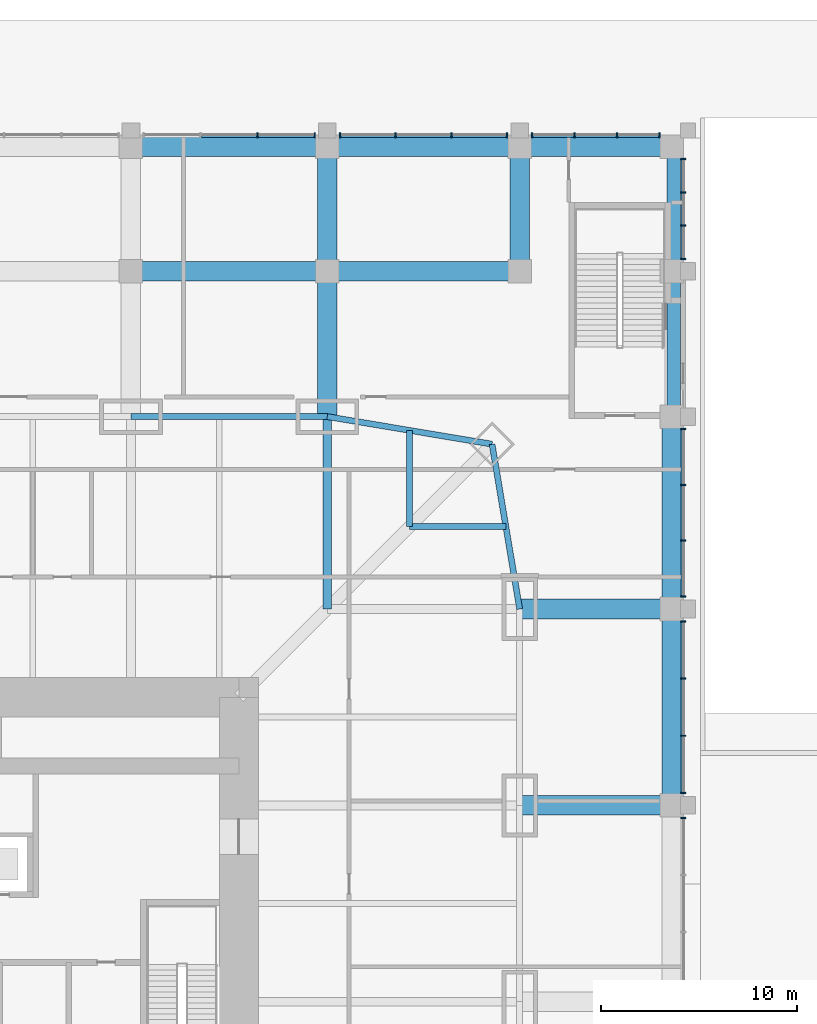
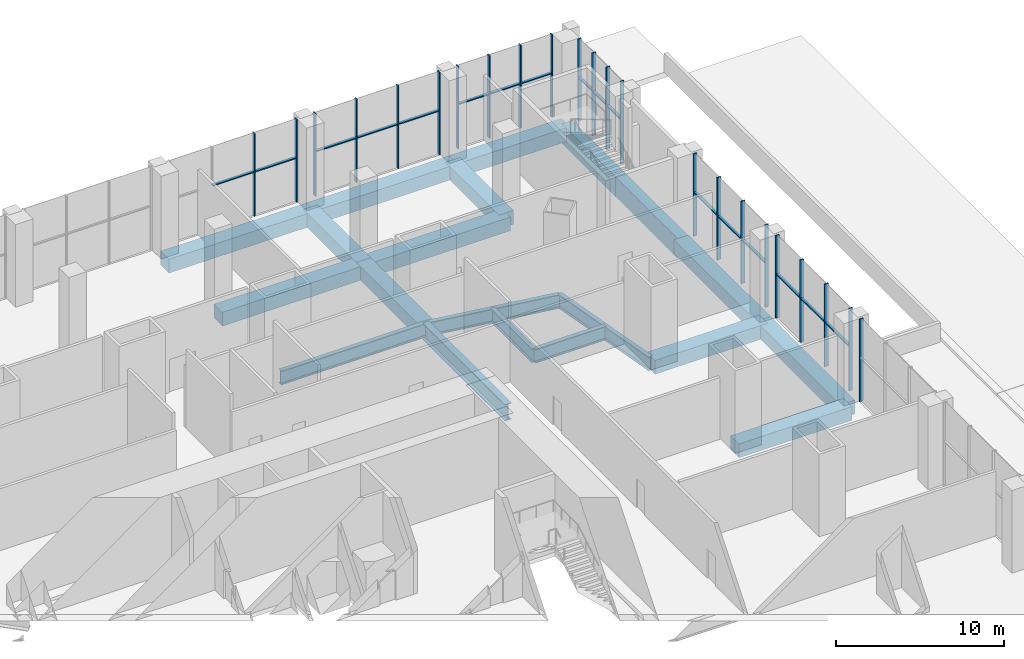
# One storey, part 15 of 31: 40 members, 20 beams, 7 elements without a shape of their own.
"""IFC4 building model written with IfcOpenShell, lengths in metres."""

from ifc_helpers import new_model, si_unit, direction, frame, origin, origin_2d, place, context, subcontext, project, spatial, rectangle, i_section, extrude, material, material_profile, profile_set, type_object, element, aggregate, save


model = new_model("IFC4")

# Units and contexts
model_context = context("Model", 3, precision=1e-05, world=origin(), true_north=direction((0.0, 1.0)))
body_context = subcontext(model_context, "Body", "Model", "MODEL_VIEW")
ifc_project = project(units=[si_unit("LENGTHUNIT", "METRE"), si_unit("AREAUNIT", "SQUARE_METRE"), si_unit("VOLUMEUNIT", "CUBIC_METRE"), si_unit("PLANEANGLEUNIT", "RADIAN"), si_unit("MASSUNIT", "GRAM", prefix="KILO")], contexts=[model_context])

# Site, building, storey
site_placement = place(None, origin())
site = spatial("IfcSite", under=ifc_project, at=site_placement, CompositionType="ELEMENT")
building_placement = place(site_placement, origin())
building = spatial("IfcBuilding", under=site, at=building_placement, Name="Khuree Lantern Residences", CompositionType="ELEMENT")
storey_placement = place(building_placement, origin())
storey = spatial("IfcBuildingStorey", under=building, at=storey_placement, Name="L00", CompositionType="ELEMENT", Elevation=0.0)

# Beams
ifc_material_1 = material(Name="Steel S355", Category="steel")
ifc_material_profile_1 = material_profile(ifc_material_1, i_section(OverallWidth=0.300048828125, OverallDepth=1.0, WebThickness=0.01904296875, FlangeThickness=0.035888671875, FilletRadius=0.030029296875, at=origin_2d()), Name="HE 1000 B")
ifc_profile_set_1 = profile_set([ifc_material_profile_1], Name="Steel S355")
beam_type_1 = type_object("IfcBeamType", Name="B-00 SECONDARY BEAM HE 1000 B", PredefinedType="BEAM", material=ifc_profile_set_1)
for number, where, z_axis, x_axis, name in (
    (1, (24.197021484375, 29.09716796875, -0.800048828125), (0.0, -1.0, 0.0), (1.0, 0.0, 0.0), "Secondary beam N5"),
    (2, (29.09716796875, 24.197021484375, -0.800048828125), (-1.0, 0.0, 0.0), (0.0, -1.0, 0.0), "Secondary beam E1"),
):
    element("IfcBeam", number, at=place(storey_placement, frame(where, z_axis=z_axis, x_axis=x_axis)), inside=storey, type_object=beam_type_1, Name=name, PredefinedType="BEAM", context=body_context, shape_type="SweptSolid", body=[
        extrude(i_section(OverallWidth=0.300048828125, OverallDepth=1.0, WebThickness=0.01904296875, FlangeThickness=0.035888671875, FilletRadius=0.030029296875, at=origin_2d()), origin(), (0.0, 0.0, 1.0), 4.900146484375),
    ])
ifc_material_profile_2 = material_profile(ifc_material_1, i_section(OverallWidth=0.300048828125, OverallDepth=1.0, WebThickness=0.01904296875, FlangeThickness=0.035888671875, FilletRadius=0.030029296875, at=origin_2d()), Name="HE 1000 B")
ifc_profile_set_2 = profile_set([ifc_material_profile_2], Name="Steel S355")
beam_type_2 = type_object("IfcBeamType", Name="E-00 SPANDREL BEAM HE 1000 B", PredefinedType="SPANDREL", material=ifc_profile_set_2)
beam_1_placement = place(storey_placement, frame((10.0, 29.800048828125, -0.800048828125), z_axis=(1.0, 0.0, 0.0), x_axis=(0.0, 1.0, 0.0)))
element("IfcBeam", 3, at=beam_1_placement, inside=storey, type_object=beam_type_2, Name="Spandrel beam N4", PredefinedType="SPANDREL", context=body_context, shape_type="SweptSolid", body=[
    extrude(i_section(OverallWidth=0.300048828125, OverallDepth=1.0, WebThickness=0.01904296875, FlangeThickness=0.035888671875, FilletRadius=0.030029296875, at=origin_2d()), origin(), (0.0, 0.0, 1.0), 10.0),
])
for number, where, z_axis, x_axis, name in (
    (4, (20.0, 29.800048828125, -0.800048828125), (0.986260251158, -0.165199022349, 0.0), (0.165199022349, 0.986260251158, 0.0), "Spandrel beam N5"),
    (5, (28.39404296875, 28.39404296875, -0.800048828125), (0.165199022349, -0.986260251158, 0.0), (0.986260251158, 0.165199022349, 0.0), "Spandrel beam E1"),
):
    element("IfcBeam", number, at=place(storey_placement, frame(where, z_axis=z_axis, x_axis=x_axis)), inside=storey, type_object=beam_type_2, Name=name, PredefinedType="SPANDREL", context=body_context, shape_type="SweptSolid", body=[
        extrude(i_section(OverallWidth=0.300048828125, OverallDepth=1.0, WebThickness=0.01904296875, FlangeThickness=0.035888671875, FilletRadius=0.030029296875, at=origin_2d()), origin(), (0.0, 0.0, 1.0), 8.510986328125),
    ])
ifc_material_profile_3 = material_profile(ifc_material_1, i_section(OverallWidth=0.449951171875, OverallDepth=1.199951171875, WebThickness=0.02490234375, FlangeThickness=0.044921875, at=origin_2d()), Name="WELDED I 1200X450X25X45")
ifc_profile_set_3 = profile_set([ifc_material_profile_3], Name="Steel S355")
beam_type_3 = type_object("IfcBeamType", Name="G-00 GIRDER WELDED I 1200X450X25X45", PredefinedType="BEAM", material=ifc_profile_set_3)
beam_2_placement = place(storey_placement, frame((20.0, 29.800048828125, -0.89990234375), z_axis=(0.0, -1.0, 0.0), x_axis=(1.0, 0.0, 0.0)))
element("IfcBeam", 6, at=beam_2_placement, inside=storey, type_object=beam_type_3, Name="Girder N5", PredefinedType="BEAM", context=body_context, shape_type="SweptSolid", body=[
    extrude(i_section(OverallWidth=0.449951171875, OverallDepth=1.199951171875, WebThickness=0.02490234375, FlangeThickness=0.044921875, at=origin_2d()), origin(), (0.0, 0.0, 1.0), 9.800048828125),
])

# Curtain wall, member
ifc_material_2 = material(Name="Bronze anodised aluminium", Category="aluminium")
curtain_wall_type = type_object("IfcCurtainWallType", Name="CW-P PODIUM STOREFRONT CURTAIN WALL", PredefinedType="USERDEFINED", material=ifc_material_2)
curtain_wall_1_placement = place(storey_placement, origin())
curtain_wall_1 = element("IfcCurtainWall", 7, at=curtain_wall_1_placement, inside=storey, type_object=curtain_wall_type, Name="L00 EAST FACE BAY 4 STOREFRONT", ObjectType="Storefront curtain wall", PredefinedType="USERDEFINED")
ifc_material_profile_4 = material_profile(ifc_material_2, rectangle(XDim=0.074951171875, YDim=0.25, at=origin_2d()), Name="M5 75X250")
ifc_profile_set_4 = profile_set([ifc_material_profile_4], Name="Bronze anodised aluminium")
member_type_1 = type_object("IfcMemberType", Name="MULLION M5 STOREFRONT 75X250", PredefinedType="MULLION", material=ifc_profile_set_4)
member_1_placement = place(storey_placement, frame((38.125, 9.362548828125, 0.0), z_axis=(0.0, 0.0, 1.0), x_axis=(0.0, 1.0, 0.0)))
member_1 = element("IfcMember", 8, at=member_1_placement, type_object=member_type_1, Name="L00 EAST FACE BAY 4 MULLION 4", PredefinedType="MULLION", context=body_context, shape_type="SweptSolid", body=[
    extrude(rectangle(XDim=0.074951171875, YDim=0.25, at=origin_2d()), origin(), (0.0, 0.0, 1.0), 6.0),
])
aggregate(curtain_wall_1, [member_1])

# Curtain wall, members
curtain_wall_2_placement = place(storey_placement, origin())
curtain_wall_2 = element("IfcCurtainWall", 9, at=curtain_wall_2_placement, inside=storey, type_object=curtain_wall_type, Name="L00 EAST FACE BAY 5 STOREFRONT", ObjectType="Storefront curtain wall", PredefinedType="USERDEFINED")
member_2_placement = place(storey_placement, frame((38.125, 10.637451171875, 0.0), z_axis=(0.0, 0.0, 1.0), x_axis=(0.0, 1.0, 0.0)))
member_2 = element("IfcMember", 10, at=member_2_placement, type_object=member_type_1, Name="L00 EAST FACE BAY 5 MULLION 1", PredefinedType="MULLION", context=body_context, shape_type="SweptSolid", body=[
    extrude(rectangle(XDim=0.074951171875, YDim=0.25, at=origin_2d()), origin(), (0.0, 0.0, 1.0), 6.0),
])
member_3_placement = place(storey_placement, frame((38.125, 13.5458984375, 0.0), z_axis=(0.0, 0.0, 1.0), x_axis=(0.0, 1.0, 0.0)))
member_3 = element("IfcMember", 11, at=member_3_placement, type_object=member_type_1, Name="L00 EAST FACE BAY 5 MULLION 2", PredefinedType="MULLION", context=body_context, shape_type="SweptSolid", body=[
    extrude(rectangle(XDim=0.074951171875, YDim=0.25, at=origin_2d()), origin(), (0.0, 0.0, 1.0), 6.0),
])
member_4_placement = place(storey_placement, frame((38.125, 16.4541015625, 0.0), z_axis=(0.0, 0.0, 1.0), x_axis=(0.0, 1.0, 0.0)))
member_4 = element("IfcMember", 12, at=member_4_placement, type_object=member_type_1, Name="L00 EAST FACE BAY 5 MULLION 3", PredefinedType="MULLION", context=body_context, shape_type="SweptSolid", body=[
    extrude(rectangle(XDim=0.074951171875, YDim=0.25, at=origin_2d()), origin(), (0.0, 0.0, 1.0), 6.0),
])
member_5_placement = place(storey_placement, frame((38.125, 19.362548828125, 0.0), z_axis=(0.0, 0.0, 1.0), x_axis=(0.0, 1.0, 0.0)))
member_5 = element("IfcMember", 13, at=member_5_placement, type_object=member_type_1, Name="L00 EAST FACE BAY 5 MULLION 4", PredefinedType="MULLION", context=body_context, shape_type="SweptSolid", body=[
    extrude(rectangle(XDim=0.074951171875, YDim=0.25, at=origin_2d()), origin(), (0.0, 0.0, 1.0), 6.0),
])

curtain_wall_3_placement = place(storey_placement, origin())
curtain_wall_3 = element("IfcCurtainWall", 14, at=curtain_wall_3_placement, inside=storey, type_object=curtain_wall_type, Name="L00 EAST FACE BAY 6 STOREFRONT", ObjectType="Storefront curtain wall", PredefinedType="USERDEFINED")
member_6_placement = place(storey_placement, frame((38.125, 20.637451171875, 0.0), z_axis=(0.0, 0.0, 1.0), x_axis=(0.0, 1.0, 0.0)))
member_6 = element("IfcMember", 15, at=member_6_placement, type_object=member_type_1, Name="L00 EAST FACE BAY 6 MULLION 1", PredefinedType="MULLION", context=body_context, shape_type="SweptSolid", body=[
    extrude(rectangle(XDim=0.074951171875, YDim=0.25, at=origin_2d()), origin(), (0.0, 0.0, 1.0), 6.0),
])
member_7_placement = place(storey_placement, frame((38.125, 23.479248046875, 0.0), z_axis=(0.0, 0.0, 1.0), x_axis=(0.0, 1.0, 0.0)))
member_7 = element("IfcMember", 16, at=member_7_placement, type_object=member_type_1, Name="L00 EAST FACE BAY 6 MULLION 2", PredefinedType="MULLION", context=body_context, shape_type="SweptSolid", body=[
    extrude(rectangle(XDim=0.074951171875, YDim=0.25, at=origin_2d()), origin(), (0.0, 0.0, 1.0), 6.0),
])
member_8_placement = place(storey_placement, frame((38.125, 26.32080078125, 0.0), z_axis=(0.0, 0.0, 1.0), x_axis=(0.0, 1.0, 0.0)))
member_8 = element("IfcMember", 17, at=member_8_placement, type_object=member_type_1, Name="L00 EAST FACE BAY 6 MULLION 3", PredefinedType="MULLION", context=body_context, shape_type="SweptSolid", body=[
    extrude(rectangle(XDim=0.074951171875, YDim=0.25, at=origin_2d()), origin(), (0.0, 0.0, 1.0), 6.0),
])
member_9_placement = place(storey_placement, frame((38.125, 29.16259765625, 0.0), z_axis=(0.0, 0.0, 1.0), x_axis=(0.0, 1.0, 0.0)))
member_9 = element("IfcMember", 18, at=member_9_placement, type_object=member_type_1, Name="L00 EAST FACE BAY 6 MULLION 4", PredefinedType="MULLION", context=body_context, shape_type="SweptSolid", body=[
    extrude(rectangle(XDim=0.074951171875, YDim=0.25, at=origin_2d()), origin(), (0.0, 0.0, 1.0), 6.0),
])

curtain_wall_4_placement = place(storey_placement, origin())
curtain_wall_4 = element("IfcCurtainWall", 19, at=curtain_wall_4_placement, inside=storey, type_object=curtain_wall_type, Name="L00 EAST FACE BAY 8 STOREFRONT", ObjectType="Storefront curtain wall", PredefinedType="USERDEFINED")
member_10_placement = place(storey_placement, frame((38.125, 37.83740234375, 0.0), z_axis=(0.0, 0.0, 1.0), x_axis=(0.0, 1.0, 0.0)))
member_10 = element("IfcMember", 20, at=member_10_placement, type_object=member_type_1, Name="L00 EAST FACE BAY 8 MULLION 1", PredefinedType="MULLION", context=body_context, shape_type="SweptSolid", body=[
    extrude(rectangle(XDim=0.074951171875, YDim=0.25, at=origin_2d()), origin(), (0.0, 0.0, 1.0), 6.0),
])
member_11_placement = place(storey_placement, frame((38.125, 39.529052734375, 0.0), z_axis=(0.0, 0.0, 1.0), x_axis=(0.0, 1.0, 0.0)))
member_11 = element("IfcMember", 21, at=member_11_placement, type_object=member_type_1, Name="L00 EAST FACE BAY 8 MULLION 2", PredefinedType="MULLION", context=body_context, shape_type="SweptSolid", body=[
    extrude(rectangle(XDim=0.074951171875, YDim=0.25, at=origin_2d()), origin(), (0.0, 0.0, 1.0), 6.0),
])
member_12_placement = place(storey_placement, frame((38.125, 41.220947265625, 0.0), z_axis=(0.0, 0.0, 1.0), x_axis=(0.0, 1.0, 0.0)))
member_12 = element("IfcMember", 22, at=member_12_placement, type_object=member_type_1, Name="L00 EAST FACE BAY 8 MULLION 3", PredefinedType="MULLION", context=body_context, shape_type="SweptSolid", body=[
    extrude(rectangle(XDim=0.074951171875, YDim=0.25, at=origin_2d()), origin(), (0.0, 0.0, 1.0), 6.0),
])
member_13_placement = place(storey_placement, frame((38.125, 42.91259765625, 0.0), z_axis=(0.0, 0.0, 1.0), x_axis=(0.0, 1.0, 0.0)))
member_13 = element("IfcMember", 23, at=member_13_placement, type_object=member_type_1, Name="L00 EAST FACE BAY 8 MULLION 4", PredefinedType="MULLION", context=body_context, shape_type="SweptSolid", body=[
    extrude(rectangle(XDim=0.074951171875, YDim=0.25, at=origin_2d()), origin(), (0.0, 0.0, 1.0), 6.0),
])

curtain_wall_5_placement = place(storey_placement, origin())
curtain_wall_5 = element("IfcCurtainWall", 24, at=curtain_wall_5_placement, inside=storey, type_object=curtain_wall_type, Name="L00 NORTH FACE BAY 1 STOREFRONT", ObjectType="Storefront curtain wall", PredefinedType="USERDEFINED")
member_14_placement = place(storey_placement, frame((36.91259765625, 44.125, 0.0), z_axis=(0.0, 0.0, 1.0), x_axis=(-1.0, 0.0, 0.0)))
member_14 = element("IfcMember", 25, at=member_14_placement, type_object=member_type_1, Name="L00 NORTH FACE BAY 1 MULLION 1", PredefinedType="MULLION", context=body_context, shape_type="SweptSolid", body=[
    extrude(rectangle(XDim=0.074951171875, YDim=0.25, at=origin_2d()), origin(), (0.0, 0.0, 1.0), 6.0),
])
member_15_placement = place(storey_placement, frame((34.754150390625, 44.125, 0.0), z_axis=(0.0, 0.0, 1.0), x_axis=(-1.0, 0.0, 0.0)))
member_15 = element("IfcMember", 26, at=member_15_placement, type_object=member_type_1, Name="L00 NORTH FACE BAY 1 MULLION 2", PredefinedType="MULLION", context=body_context, shape_type="SweptSolid", body=[
    extrude(rectangle(XDim=0.074951171875, YDim=0.25, at=origin_2d()), origin(), (0.0, 0.0, 1.0), 6.0),
])
member_16_placement = place(storey_placement, frame((32.595947265625, 44.125, 0.0), z_axis=(0.0, 0.0, 1.0), x_axis=(-1.0, 0.0, 0.0)))
member_16 = element("IfcMember", 27, at=member_16_placement, type_object=member_type_1, Name="L00 NORTH FACE BAY 1 MULLION 3", PredefinedType="MULLION", context=body_context, shape_type="SweptSolid", body=[
    extrude(rectangle(XDim=0.074951171875, YDim=0.25, at=origin_2d()), origin(), (0.0, 0.0, 1.0), 6.0),
])
member_17_placement = place(storey_placement, frame((30.4375, 44.125, 0.0), z_axis=(0.0, 0.0, 1.0), x_axis=(-1.0, 0.0, 0.0)))
member_17 = element("IfcMember", 28, at=member_17_placement, type_object=member_type_1, Name="L00 NORTH FACE BAY 1 MULLION 4", PredefinedType="MULLION", context=body_context, shape_type="SweptSolid", body=[
    extrude(rectangle(XDim=0.074951171875, YDim=0.25, at=origin_2d()), origin(), (0.0, 0.0, 1.0), 6.0),
])

curtain_wall_6_placement = place(storey_placement, origin())
curtain_wall_6 = element("IfcCurtainWall", 29, at=curtain_wall_6_placement, inside=storey, type_object=curtain_wall_type, Name="L00 NORTH FACE BAY 2 STOREFRONT", ObjectType="Storefront curtain wall", PredefinedType="USERDEFINED")
member_18_placement = place(storey_placement, frame((29.16259765625, 44.125, 0.0), z_axis=(0.0, 0.0, 1.0), x_axis=(-1.0, 0.0, 0.0)))
member_18 = element("IfcMember", 30, at=member_18_placement, type_object=member_type_1, Name="L00 NORTH FACE BAY 2 MULLION 1", PredefinedType="MULLION", context=body_context, shape_type="SweptSolid", body=[
    extrude(rectangle(XDim=0.074951171875, YDim=0.25, at=origin_2d()), origin(), (0.0, 0.0, 1.0), 6.0),
])
member_19_placement = place(storey_placement, frame((26.32080078125, 44.125, 0.0), z_axis=(0.0, 0.0, 1.0), x_axis=(-1.0, 0.0, 0.0)))
member_19 = element("IfcMember", 31, at=member_19_placement, type_object=member_type_1, Name="L00 NORTH FACE BAY 2 MULLION 2", PredefinedType="MULLION", context=body_context, shape_type="SweptSolid", body=[
    extrude(rectangle(XDim=0.074951171875, YDim=0.25, at=origin_2d()), origin(), (0.0, 0.0, 1.0), 6.0),
])
member_20_placement = place(storey_placement, frame((23.479248046875, 44.125, 0.0), z_axis=(0.0, 0.0, 1.0), x_axis=(-1.0, 0.0, 0.0)))
member_20 = element("IfcMember", 32, at=member_20_placement, type_object=member_type_1, Name="L00 NORTH FACE BAY 2 MULLION 3", PredefinedType="MULLION", context=body_context, shape_type="SweptSolid", body=[
    extrude(rectangle(XDim=0.074951171875, YDim=0.25, at=origin_2d()), origin(), (0.0, 0.0, 1.0), 6.0),
])
member_21_placement = place(storey_placement, frame((20.637451171875, 44.125, 0.0), z_axis=(0.0, 0.0, 1.0), x_axis=(-1.0, 0.0, 0.0)))
member_21 = element("IfcMember", 33, at=member_21_placement, type_object=member_type_1, Name="L00 NORTH FACE BAY 2 MULLION 4", PredefinedType="MULLION", context=body_context, shape_type="SweptSolid", body=[
    extrude(rectangle(XDim=0.074951171875, YDim=0.25, at=origin_2d()), origin(), (0.0, 0.0, 1.0), 6.0),
])

curtain_wall_7_placement = place(storey_placement, origin())
curtain_wall_7 = element("IfcCurtainWall", 34, at=curtain_wall_7_placement, inside=storey, type_object=curtain_wall_type, Name="L00 NORTH FACE BAY 3 STOREFRONT", ObjectType="Storefront curtain wall", PredefinedType="USERDEFINED")
member_22_placement = place(storey_placement, frame((19.362548828125, 44.125, 0.0), z_axis=(0.0, 0.0, 1.0), x_axis=(-1.0, 0.0, 0.0)))
member_22 = element("IfcMember", 35, at=member_22_placement, type_object=member_type_1, Name="L00 NORTH FACE BAY 3 MULLION 1", PredefinedType="MULLION", context=body_context, shape_type="SweptSolid", body=[
    extrude(rectangle(XDim=0.074951171875, YDim=0.25, at=origin_2d()), origin(), (0.0, 0.0, 1.0), 6.0),
])
member_23_placement = place(storey_placement, frame((16.4541015625, 44.125, 0.0), z_axis=(0.0, 0.0, 1.0), x_axis=(-1.0, 0.0, 0.0)))
member_23 = element("IfcMember", 36, at=member_23_placement, type_object=member_type_1, Name="L00 NORTH FACE BAY 3 MULLION 2", PredefinedType="MULLION", context=body_context, shape_type="SweptSolid", body=[
    extrude(rectangle(XDim=0.074951171875, YDim=0.25, at=origin_2d()), origin(), (0.0, 0.0, 1.0), 6.0),
])

# Beams
ifc_material_3 = material(Name="Concrete C40/50", Category="concrete")
ifc_material_profile_5 = material_profile(ifc_material_3, rectangle(XDim=1.0, YDim=1.0, at=origin_2d()), Name="RC 1000X1000")
ifc_profile_set_5 = profile_set([ifc_material_profile_5], Name="Concrete C40/50")
beam_type_4 = type_object("IfcBeamType", Name="RB3 PODIUM BEAM RC 1000X1000", PredefinedType="BEAM", material=ifc_profile_set_5)
for number, where, z_axis, x_axis, name in (
    (37, (29.800048828125, 10.0, -0.800048828125), (1.0, 0.0, 0.0), (0.0, 1.0, 0.0), "Podium beam RB-32"),
    (38, (29.800048828125, 20.0, -0.800048828125), (1.0, 0.0, 0.0), (0.0, 1.0, 0.0), "Podium beam RB-35"),
):
    element("IfcBeam", number, at=place(storey_placement, frame(where, z_axis=z_axis, x_axis=x_axis)), inside=storey, type_object=beam_type_4, Name=name, PredefinedType="BEAM", context=body_context, shape_type="SweptSolid", body=[
        extrude(rectangle(XDim=1.0, YDim=1.0, at=origin_2d()), origin(), (0.0, 0.0, 1.0), 7.75),
    ])
beam_3_placement = place(storey_placement, frame((10.0, 37.199951171875, -0.800048828125), z_axis=(1.0, 0.0, 0.0), x_axis=(0.0, 1.0, 0.0)))
element("IfcBeam", 39, at=beam_3_placement, inside=storey, type_object=beam_type_4, Name="Podium beam RB-42", PredefinedType="BEAM", context=body_context, shape_type="SweptSolid", body=[
    extrude(rectangle(XDim=1.0, YDim=1.0, at=origin_2d()), origin(), (0.0, 0.0, 1.0), 10.0),
])
beam_4_placement = place(storey_placement, frame((20.0, 37.199951171875, -0.800048828125), z_axis=(1.0, 0.0, 0.0), x_axis=(0.0, 1.0, 0.0)))
element("IfcBeam", 40, at=beam_4_placement, inside=storey, type_object=beam_type_4, Name="Podium beam RB-43", PredefinedType="BEAM", context=body_context, shape_type="SweptSolid", body=[
    extrude(rectangle(XDim=1.0, YDim=1.0, at=origin_2d()), origin(), (0.0, 0.0, 1.0), 9.800048828125),
])
beam_5_placement = place(storey_placement, frame((10.0, 43.550048828125, -0.800048828125), z_axis=(1.0, 0.0, 0.0), x_axis=(0.0, 1.0, 0.0)))
element("IfcBeam", 41, at=beam_5_placement, inside=storey, type_object=beam_type_4, Name="Podium beam RB-50", PredefinedType="BEAM", context=body_context, shape_type="SweptSolid", body=[
    extrude(rectangle(XDim=1.0, YDim=1.0, at=origin_2d()), origin(), (0.0, 0.0, 1.0), 10.0),
])
beam_6_placement = place(storey_placement, frame((20.0, 43.550048828125, -0.800048828125), z_axis=(1.0, 0.0, 0.0), x_axis=(0.0, 1.0, 0.0)))
element("IfcBeam", 42, at=beam_6_placement, inside=storey, type_object=beam_type_4, Name="Podium beam RB-51", PredefinedType="BEAM", context=body_context, shape_type="SweptSolid", body=[
    extrude(rectangle(XDim=1.0, YDim=1.0, at=origin_2d()), origin(), (0.0, 0.0, 1.0), 9.800048828125),
])
beam_7_placement = place(storey_placement, frame((29.800048828125, 43.550048828125, -0.800048828125), z_axis=(1.0, 0.0, 0.0), x_axis=(0.0, 1.0, 0.0)))
element("IfcBeam", 43, at=beam_7_placement, inside=storey, type_object=beam_type_4, Name="Podium beam RB-52", PredefinedType="BEAM", context=body_context, shape_type="SweptSolid", body=[
    extrude(rectangle(XDim=1.0, YDim=1.0, at=origin_2d()), origin(), (0.0, 0.0, 1.0), 7.75),
])
beam_8_placement = place(storey_placement, frame((20.0, 29.800048828125, -0.800048828125), z_axis=(0.0, 1.0, 0.0), x_axis=(-1.0, 0.0, 0.0)))
element("IfcBeam", 44, at=beam_8_placement, inside=storey, type_object=beam_type_4, Name="Podium beam RB-95", PredefinedType="BEAM", context=body_context, shape_type="SweptSolid", body=[
    extrude(rectangle(XDim=1.0, YDim=1.0, at=origin_2d()), origin(), (0.0, 0.0, 1.0), 7.39990234375),
])
for number, where, z_axis, x_axis, name in (
    (45, (20.0, 37.199951171875, -0.800048828125), (0.0, 1.0, 0.0), (-1.0, 0.0, 0.0), "Podium beam RB-96"),
    (46, (29.800048828125, 37.199951171875, -0.800048828125), (0.0, 1.0, 0.0), (-1.0, 0.0, 0.0), "Podium beam RB-99"),
):
    element("IfcBeam", number, at=place(storey_placement, frame(where, z_axis=z_axis, x_axis=x_axis)), inside=storey, type_object=beam_type_4, Name=name, PredefinedType="BEAM", context=body_context, shape_type="SweptSolid", body=[
        extrude(rectangle(XDim=1.0, YDim=1.0, at=origin_2d()), origin(), (0.0, 0.0, 1.0), 6.35009765625),
    ])
beam_9_placement = place(storey_placement, frame((37.550048828125, 10.0, -0.800048828125), z_axis=(0.0, 1.0, 0.0), x_axis=(-1.0, 0.0, 0.0)))
element("IfcBeam", 47, at=beam_9_placement, inside=storey, type_object=beam_type_4, Name="Podium beam RB-108", PredefinedType="BEAM", context=body_context, shape_type="SweptSolid", body=[
    extrude(rectangle(XDim=1.0, YDim=1.0, at=origin_2d()), origin(), (0.0, 0.0, 1.0), 10.0),
])
beam_10_placement = place(storey_placement, frame((37.550048828125, 20.0, -0.800048828125), z_axis=(0.0, 1.0, 0.0), x_axis=(-1.0, 0.0, 0.0)))
element("IfcBeam", 48, at=beam_10_placement, inside=storey, type_object=beam_type_4, Name="Podium beam RB-109", PredefinedType="BEAM", context=body_context, shape_type="SweptSolid", body=[
    extrude(rectangle(XDim=1.0, YDim=1.0, at=origin_2d()), origin(), (0.0, 0.0, 1.0), 9.800048828125),
])
ifc_material_profile_6 = material_profile(ifc_material_3, rectangle(XDim=0.699951171875, YDim=1.429931640625, at=origin_2d()), Name="RC 700X1430")
ifc_profile_set_6 = profile_set([ifc_material_profile_6], Name="Concrete C40/50")
beam_type_5 = type_object("IfcBeamType", Name="RB7 PODIUM BEAM AT STAIR RC 700X1430", PredefinedType="BEAM", material=ifc_profile_set_6)
beam_11_placement = place(storey_placement, frame((37.64990234375, 29.800048828125, -1.014892578125), z_axis=(0.0, 1.0, 0.0), x_axis=(-1.0, 0.0, 0.0)))
element("IfcBeam", 49, at=beam_11_placement, inside=storey, type_object=beam_type_5, Name="Podium beam at stair RB-110", PredefinedType="BEAM", context=body_context, shape_type="SweptSolid", body=[
    extrude(rectangle(XDim=0.699951171875, YDim=1.429931640625, at=origin_2d()), origin(), (0.0, 0.0, 1.0), 7.39990234375),
])
beam_12_placement = place(storey_placement, frame((37.64990234375, 37.199951171875, -1.014892578125), z_axis=(0.0, 1.0, 0.0), x_axis=(-1.0, 0.0, 0.0)))
element("IfcBeam", 50, at=beam_12_placement, inside=storey, type_object=beam_type_5, Name="Podium beam at stair RB-111", PredefinedType="BEAM", context=body_context, shape_type="SweptSolid", body=[
    extrude(rectangle(XDim=0.699951171875, YDim=1.429931640625, at=origin_2d()), origin(), (0.0, 0.0, 1.0), 6.35009765625),
])

# Member
ifc_material_profile_7 = material_profile(ifc_material_2, rectangle(XDim=0.199951171875, YDim=0.074951171875, at=origin_2d()), Name="T5 200X75")
ifc_profile_set_7 = profile_set([ifc_material_profile_7], Name="Bronze anodised aluminium")
member_type_2 = type_object("IfcMemberType", Name="TRANSOM T5 STOREFRONT 200X75", PredefinedType="USERDEFINED", material=ifc_profile_set_7)
member_24_placement = place(storey_placement, frame((38.1201171875, 10.675048828125, 3.199951171875), z_axis=(0.0, 1.0, 0.0), x_axis=(-1.0, 0.0, 0.0)))
member_24 = element("IfcMember", 51, at=member_24_placement, type_object=member_type_2, Name="L00 EAST FACE BAY 5 TRANSOM 1", ObjectType="Transom", PredefinedType="USERDEFINED", context=body_context, shape_type="SweptSolid", body=[
    extrude(rectangle(XDim=0.199951171875, YDim=0.074951171875, at=origin_2d()), origin(), (0.0, 0.0, 1.0), 2.833251953125),
])

member_25_placement = place(storey_placement, frame((38.1201171875, 13.583251953125, 3.199951171875), z_axis=(0.0, 1.0, 0.0), x_axis=(-1.0, 0.0, 0.0)))
member_25 = element("IfcMember", 52, at=member_25_placement, type_object=member_type_2, Name="L00 EAST FACE BAY 5 TRANSOM 2", ObjectType="Transom", PredefinedType="USERDEFINED", context=body_context, shape_type="SweptSolid", body=[
    extrude(rectangle(XDim=0.199951171875, YDim=0.074951171875, at=origin_2d()), origin(), (0.0, 0.0, 1.0), 2.83349609375),
])

member_26_placement = place(storey_placement, frame((38.1201171875, 16.49169921875, 3.199951171875), z_axis=(0.0, 1.0, 0.0), x_axis=(-1.0, 0.0, 0.0)))
member_26 = element("IfcMember", 53, at=member_26_placement, type_object=member_type_2, Name="L00 EAST FACE BAY 5 TRANSOM 3", ObjectType="Transom", PredefinedType="USERDEFINED", context=body_context, shape_type="SweptSolid", body=[
    extrude(rectangle(XDim=0.199951171875, YDim=0.074951171875, at=origin_2d()), origin(), (0.0, 0.0, 1.0), 2.833251953125),
])

aggregate(curtain_wall_2, [member_2, member_3, member_4, member_5, member_24, member_25, member_26])

member_27_placement = place(storey_placement, frame((38.1201171875, 20.675048828125, 3.199951171875), z_axis=(0.0, 1.0, 0.0), x_axis=(-1.0, 0.0, 0.0)))
member_27 = element("IfcMember", 54, at=member_27_placement, type_object=member_type_2, Name="L00 EAST FACE BAY 6 TRANSOM 1", ObjectType="Transom", PredefinedType="USERDEFINED", context=body_context, shape_type="SweptSolid", body=[
    extrude(rectangle(XDim=0.199951171875, YDim=0.074951171875, at=origin_2d()), origin(), (0.0, 0.0, 1.0), 2.7666015625),
])

member_28_placement = place(storey_placement, frame((38.1201171875, 23.5166015625, 3.199951171875), z_axis=(0.0, 1.0, 0.0), x_axis=(-1.0, 0.0, 0.0)))
member_28 = element("IfcMember", 55, at=member_28_placement, type_object=member_type_2, Name="L00 EAST FACE BAY 6 TRANSOM 2", ObjectType="Transom", PredefinedType="USERDEFINED", context=body_context, shape_type="SweptSolid", body=[
    extrude(rectangle(XDim=0.199951171875, YDim=0.074951171875, at=origin_2d()), origin(), (0.0, 0.0, 1.0), 2.766845703125),
])

member_29_placement = place(storey_placement, frame((38.1201171875, 26.3583984375, 3.199951171875), z_axis=(0.0, 1.0, 0.0), x_axis=(-1.0, 0.0, 0.0)))
member_29 = element("IfcMember", 56, at=member_29_placement, type_object=member_type_2, Name="L00 EAST FACE BAY 6 TRANSOM 3", ObjectType="Transom", PredefinedType="USERDEFINED", context=body_context, shape_type="SweptSolid", body=[
    extrude(rectangle(XDim=0.199951171875, YDim=0.074951171875, at=origin_2d()), origin(), (0.0, 0.0, 1.0), 2.7666015625),
])

aggregate(curtain_wall_3, [member_6, member_7, member_8, member_9, member_27, member_28, member_29])

member_30_placement = place(storey_placement, frame((38.1201171875, 37.875, 3.199951171875), z_axis=(0.0, 1.0, 0.0), x_axis=(-1.0, 0.0, 0.0)))
member_30 = element("IfcMember", 57, at=member_30_placement, type_object=member_type_2, Name="L00 EAST FACE BAY 8 TRANSOM 1", ObjectType="Transom", PredefinedType="USERDEFINED", context=body_context, shape_type="SweptSolid", body=[
    extrude(rectangle(XDim=0.199951171875, YDim=0.074951171875, at=origin_2d()), origin(), (0.0, 0.0, 1.0), 1.61669921875),
])

member_31_placement = place(storey_placement, frame((38.1201171875, 39.566650390625, 3.199951171875), z_axis=(0.0, 1.0, 0.0), x_axis=(-1.0, 0.0, 0.0)))
member_31 = element("IfcMember", 58, at=member_31_placement, type_object=member_type_2, Name="L00 EAST FACE BAY 8 TRANSOM 2", ObjectType="Transom", PredefinedType="USERDEFINED", context=body_context, shape_type="SweptSolid", body=[
    extrude(rectangle(XDim=0.199951171875, YDim=0.074951171875, at=origin_2d()), origin(), (0.0, 0.0, 1.0), 1.61669921875),
])

member_32_placement = place(storey_placement, frame((38.1201171875, 41.25830078125, 3.199951171875), z_axis=(0.0, 1.0, 0.0), x_axis=(-1.0, 0.0, 0.0)))
member_32 = element("IfcMember", 59, at=member_32_placement, type_object=member_type_2, Name="L00 EAST FACE BAY 8 TRANSOM 3", ObjectType="Transom", PredefinedType="USERDEFINED", context=body_context, shape_type="SweptSolid", body=[
    extrude(rectangle(XDim=0.199951171875, YDim=0.074951171875, at=origin_2d()), origin(), (0.0, 0.0, 1.0), 1.61669921875),
])

aggregate(curtain_wall_4, [member_10, member_11, member_12, member_13, member_30, member_31, member_32])

member_33_placement = place(storey_placement, frame((36.875, 44.1201171875, 3.199951171875), z_axis=(-1.0, 0.0, 0.0), x_axis=(0.0, -1.0, 0.0)))
member_33 = element("IfcMember", 60, at=member_33_placement, type_object=member_type_2, Name="L00 NORTH FACE BAY 1 TRANSOM 1", ObjectType="Transom", PredefinedType="USERDEFINED", context=body_context, shape_type="SweptSolid", body=[
    extrude(rectangle(XDim=0.199951171875, YDim=0.074951171875, at=origin_2d()), origin(), (0.0, 0.0, 1.0), 2.083251953125),
])

member_34_placement = place(storey_placement, frame((34.716552734375, 44.1201171875, 3.199951171875), z_axis=(-1.0, 0.0, 0.0), x_axis=(0.0, -1.0, 0.0)))
member_34 = element("IfcMember", 61, at=member_34_placement, type_object=member_type_2, Name="L00 NORTH FACE BAY 1 TRANSOM 2", ObjectType="Transom", PredefinedType="USERDEFINED", context=body_context, shape_type="SweptSolid", body=[
    extrude(rectangle(XDim=0.199951171875, YDim=0.074951171875, at=origin_2d()), origin(), (0.0, 0.0, 1.0), 2.083251953125),
])

member_35_placement = place(storey_placement, frame((32.558349609375, 44.1201171875, 3.199951171875), z_axis=(-1.0, 0.0, 0.0), x_axis=(0.0, -1.0, 0.0)))
member_35 = element("IfcMember", 62, at=member_35_placement, type_object=member_type_2, Name="L00 NORTH FACE BAY 1 TRANSOM 3", ObjectType="Transom", PredefinedType="USERDEFINED", context=body_context, shape_type="SweptSolid", body=[
    extrude(rectangle(XDim=0.199951171875, YDim=0.074951171875, at=origin_2d()), origin(), (0.0, 0.0, 1.0), 2.083251953125),
])

aggregate(curtain_wall_5, [member_14, member_15, member_16, member_17, member_33, member_34, member_35])

member_36_placement = place(storey_placement, frame((29.125, 44.1201171875, 3.199951171875), z_axis=(-1.0, 0.0, 0.0), x_axis=(0.0, -1.0, 0.0)))
member_36 = element("IfcMember", 63, at=member_36_placement, type_object=member_type_2, Name="L00 NORTH FACE BAY 2 TRANSOM 1", ObjectType="Transom", PredefinedType="USERDEFINED", context=body_context, shape_type="SweptSolid", body=[
    extrude(rectangle(XDim=0.199951171875, YDim=0.074951171875, at=origin_2d()), origin(), (0.0, 0.0, 1.0), 2.7666015625),
])

member_37_placement = place(storey_placement, frame((26.283447265625, 44.1201171875, 3.199951171875), z_axis=(-1.0, 0.0, 0.0), x_axis=(0.0, -1.0, 0.0)))
member_37 = element("IfcMember", 64, at=member_37_placement, type_object=member_type_2, Name="L00 NORTH FACE BAY 2 TRANSOM 2", ObjectType="Transom", PredefinedType="USERDEFINED", context=body_context, shape_type="SweptSolid", body=[
    extrude(rectangle(XDim=0.199951171875, YDim=0.074951171875, at=origin_2d()), origin(), (0.0, 0.0, 1.0), 2.766845703125),
])

member_38_placement = place(storey_placement, frame((23.441650390625, 44.1201171875, 3.199951171875), z_axis=(-1.0, 0.0, 0.0), x_axis=(0.0, -1.0, 0.0)))
member_38 = element("IfcMember", 65, at=member_38_placement, type_object=member_type_2, Name="L00 NORTH FACE BAY 2 TRANSOM 3", ObjectType="Transom", PredefinedType="USERDEFINED", context=body_context, shape_type="SweptSolid", body=[
    extrude(rectangle(XDim=0.199951171875, YDim=0.074951171875, at=origin_2d()), origin(), (0.0, 0.0, 1.0), 2.7666015625),
])

aggregate(curtain_wall_6, [member_18, member_19, member_20, member_21, member_36, member_37, member_38])

member_39_placement = place(storey_placement, frame((19.324951171875, 44.1201171875, 3.199951171875), z_axis=(-1.0, 0.0, 0.0), x_axis=(0.0, -1.0, 0.0)))
member_39 = element("IfcMember", 66, at=member_39_placement, type_object=member_type_2, Name="L00 NORTH FACE BAY 3 TRANSOM 1", ObjectType="Transom", PredefinedType="USERDEFINED", context=body_context, shape_type="SweptSolid", body=[
    extrude(rectangle(XDim=0.199951171875, YDim=0.074951171875, at=origin_2d()), origin(), (0.0, 0.0, 1.0), 2.833251953125),
])

member_40_placement = place(storey_placement, frame((16.416748046875, 44.1201171875, 3.199951171875), z_axis=(-1.0, 0.0, 0.0), x_axis=(0.0, -1.0, 0.0)))
member_40 = element("IfcMember", 67, at=member_40_placement, type_object=member_type_2, Name="L00 NORTH FACE BAY 3 TRANSOM 2", ObjectType="Transom", PredefinedType="USERDEFINED", context=body_context, shape_type="SweptSolid", body=[
    extrude(rectangle(XDim=0.199951171875, YDim=0.074951171875, at=origin_2d()), origin(), (0.0, 0.0, 1.0), 2.83349609375),
])

aggregate(curtain_wall_7, [member_22, member_23, member_39, member_40])

save(model, "model.ifc")
